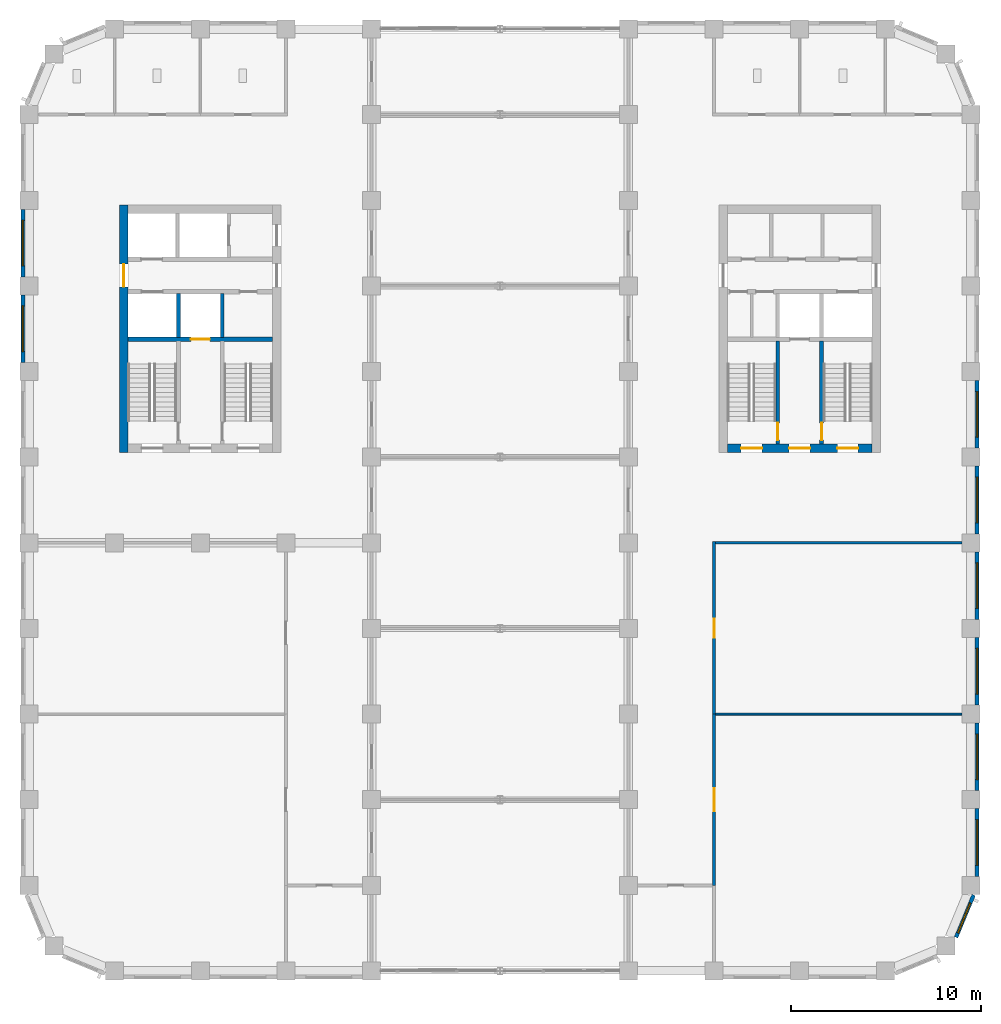
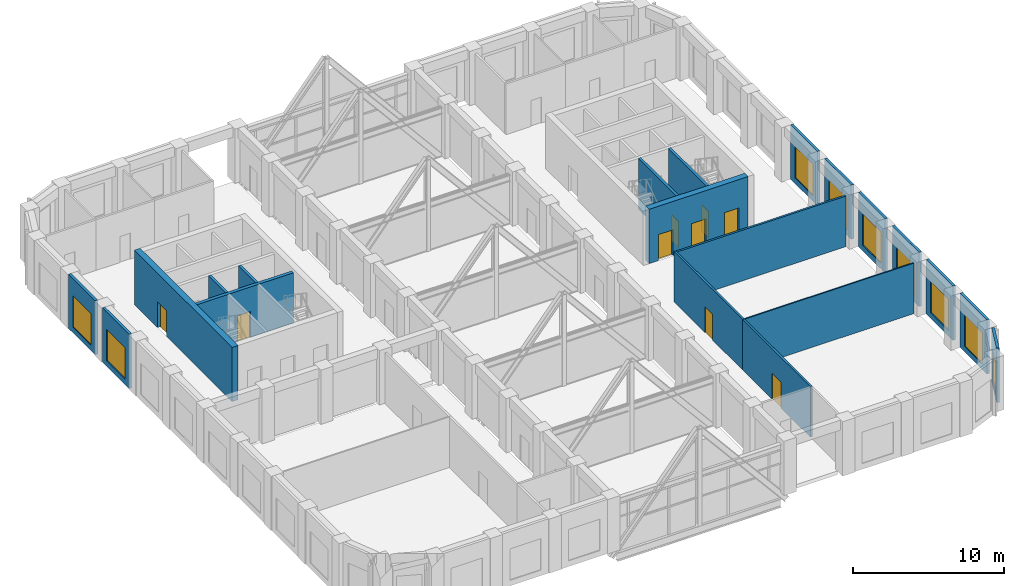
# One storey, part 9 of 15: 20 walls, 9 doors, 9 windows, 18 openings.
"""IFC4 building model written with IfcOpenShell, lengths in metres."""

from ifc_helpers import new_model, si_unit, direction, frame, frame_2d, origin, place, context, subcontext, project, spatial, rectangle, extrude, material, layer, layer_set, type_object, element, fill, save


model = new_model("IFC4")

# Units and contexts
model_context = context("Model", 3, precision=1e-05, world=origin(), true_north=direction((0.0, 1.0)))
body_context = subcontext(model_context, "Body", "Model", "MODEL_VIEW")
ifc_project = project(units=[si_unit("LENGTHUNIT", "METRE"), si_unit("AREAUNIT", "SQUARE_METRE"), si_unit("VOLUMEUNIT", "CUBIC_METRE"), si_unit("PLANEANGLEUNIT", "RADIAN"), si_unit("MASSUNIT", "GRAM", prefix="KILO")], contexts=[model_context])

# Site, building, storey
site_placement = place(None, origin())
site = spatial("IfcSite", under=ifc_project, at=site_placement, CompositionType="ELEMENT")
building_placement = place(site_placement, origin())
building = spatial("IfcBuilding", under=site, at=building_placement, Name="Girih Gate Residences", CompositionType="ELEMENT")
storey_placement = place(building_placement, frame((0.0, 0.0, 168.199951171875)))
storey = spatial("IfcBuildingStorey", under=building, at=storey_placement, Name="L46", CompositionType="ELEMENT", Elevation=168.199951171875)

# Wall
ifc_material_1 = material(Name="Gypsum board on steel studs", Category="steel")
ifc_layer_1 = layer(ifc_material_1, 0.14990234375)
ifc_layer_set_1 = layer_set([ifc_layer_1], Name="Compartment wall 150 mm")
wall_type_1 = type_object("IfcWallType", Name="Compartment wall 150 mm", PredefinedType="PARTITIONING", material=ifc_layer_set_1)
wall_1_placement = place(storey_placement, frame((36.074951171875, 22.5, 0.0), z_axis=(0.0, 0.0, 1.0), x_axis=(1.0, 0.0, 0.0)))
element("IfcWall", 1, at=wall_1_placement, inside=storey, type_object=wall_type_1, Name="L46 partition", PredefinedType="PARTITIONING", context=body_context, shape_type="SweptSolid", body=[
    extrude(rectangle(XDim=12.949951171875, YDim=0.14990234375, at=frame_2d((6.47509765625, 0.0))), origin(), (0.0, 0.0, 1.0), 4.10009765625),
])

# Wall, opening, door
wall_2_placement = place(storey_placement, frame((36.0, 13.5, 0.0), z_axis=(0.0, 0.0, 1.0), x_axis=(0.0, -1.0, 0.0)))
wall_2 = element("IfcWall", 2, at=wall_2_placement, inside=storey, type_object=wall_type_1, Name="L46 partition", PredefinedType="PARTITIONING", context=body_context, shape_type="SweptSolid", body=[
    extrude(rectangle(XDim=9.0, YDim=0.14990234375, at=frame_2d((4.5, 0.0))), origin(), (0.0, 0.0, 1.0), 4.10009765625),
])
opening_1_placement = place(wall_2_placement, frame((3.89990234375, 0.0, 0.0)))
opening_1 = element("IfcOpeningElement", 3, at=opening_1_placement, cuts=wall_2, Name="Opening D-L46-S-014", PredefinedType="OPENING", context=body_context, shape_type="SweptSolid", body=[
    extrude(rectangle(XDim=1.199951171875, YDim=2.10009765625, at=frame_2d((0.60009765625, 1.050048828125))), frame((0.0, 0.0849609375, 0.0), z_axis=(0.0, -1.0, 0.0), x_axis=(1.0, 0.0, 0.0)), (0.0, 0.0, 1.0), 0.169921875),
])
ifc_material_2 = material(Name="Timber, fire-rated core", Category="wood")
door_type_1 = type_object("IfcDoorType", Name="Gallery fire door 1200x2100 FD30S", OperationType="SINGLE_SWING_LEFT", PredefinedType="DOOR", material=ifc_material_2)
door_1_placement = place(opening_1_placement, origin())
door_1 = element("IfcDoor", 4, at=door_1_placement, inside=storey, type_object=door_type_1, Name="Door L46-014", OperationType="SINGLE_SWING_RIGHT", OverallHeight=2.10009765625, OverallWidth=1.199951171875, PredefinedType="DOOR", context=body_context, shape_type="SweptSolid", body=[
    extrude(rectangle(XDim=1.199951171875, YDim=2.10009765625, at=frame_2d((0.60009765625, 1.050048828125))), frame((0.0, 0.02490234375, 0.0), z_axis=(0.0, -1.0, 0.0), x_axis=(1.0, 0.0, 0.0)), (0.0, 0.0, 1.0), 0.050048828125),
])
fill(opening_1, door_1)

wall_3_placement = place(storey_placement, frame((36.0, 22.574951171875, 0.0), z_axis=(0.0, 0.0, 1.0), x_axis=(0.0, -1.0, 0.0)))
wall_3 = element("IfcWall", 5, at=wall_3_placement, inside=storey, type_object=wall_type_1, Name="L46 partition", PredefinedType="PARTITIONING", context=body_context, shape_type="SweptSolid", body=[
    extrude(rectangle(XDim=9.074951171875, YDim=0.14990234375, at=frame_2d((4.53759765625, 0.0))), origin(), (0.0, 0.0, 1.0), 4.10009765625),
])
opening_2_placement = place(wall_3_placement, frame((4.074951171875, 0.0, 0.0)))
opening_2 = element("IfcOpeningElement", 6, at=opening_2_placement, cuts=wall_3, Name="Opening D-L46-S-015", PredefinedType="OPENING", context=body_context, shape_type="SweptSolid", body=[
    extrude(rectangle(XDim=1.0, YDim=2.10009765625, at=frame_2d((0.5, 1.050048828125))), frame((0.0, 0.0849609375, 0.0), z_axis=(0.0, -1.0, 0.0), x_axis=(1.0, 0.0, 0.0)), (0.0, 0.0, 1.0), 0.169921875),
])
door_type_2 = type_object("IfcDoorType", Name="Amenity door 1000x2100 FD30S", OperationType="SINGLE_SWING_LEFT", PredefinedType="DOOR", material=ifc_material_2)
door_2_placement = place(opening_2_placement, origin())
door_2 = element("IfcDoor", 7, at=door_2_placement, inside=storey, type_object=door_type_2, Name="Door L46-015", OperationType="SINGLE_SWING_RIGHT", OverallHeight=2.10009765625, OverallWidth=1.0, PredefinedType="DOOR", context=body_context, shape_type="SweptSolid", body=[
    extrude(rectangle(XDim=1.0, YDim=2.10009765625, at=frame_2d((0.5, 1.050048828125))), frame((0.0, 0.02490234375, 0.0), z_axis=(0.0, -1.0, 0.0), x_axis=(1.0, 0.0, 0.0)), (0.0, 0.0, 1.0), 0.050048828125),
])
fill(opening_2, door_2)

ifc_material_3 = material(Name="Concrete C60/75", Category="concrete")
ifc_layer_2 = layer(ifc_material_3, 0.449951171875)
ifc_layer_set_2 = layer_set([ifc_layer_2], Name="Core wall RC 450 Concrete C60/75")
wall_type_2 = type_object("IfcWallType", Name="Core wall RC 450 Concrete C60/75", PredefinedType="SOLIDWALL", material=ifc_layer_set_2)
wall_4_placement = place(storey_placement, frame((4.97509765625, 27.25, 0.0), z_axis=(0.0, 0.0, 1.0), x_axis=(0.0, 1.0, 0.0)))
wall_4 = element("IfcWall", 8, at=wall_4_placement, inside=storey, type_object=wall_type_2, Name="Core wall W-W L46", PredefinedType="SOLIDWALL", context=body_context, shape_type="SweptSolid", body=[
    extrude(rectangle(XDim=13.0, YDim=0.449951171875, at=frame_2d((6.5, 0.0))), origin(), (0.0, 0.0, 1.0), 4.400146484375),
])
opening_3_placement = place(wall_4_placement, frame((8.699951171875, 0.0, 0.0)))
opening_3 = element("IfcOpeningElement", 9, at=opening_3_placement, cuts=wall_4, Name="Opening D-L46-W-012", PredefinedType="OPENING", context=body_context, shape_type="SweptSolid", body=[
    extrude(rectangle(XDim=1.199951171875, YDim=2.10009765625, at=frame_2d((0.60009765625, 1.050048828125))), frame((0.0, 0.23486328125, 0.0), z_axis=(0.0, -1.0, 0.0), x_axis=(1.0, 0.0, 0.0)), (0.0, 0.0, 1.0), 0.469970703125),
])
ifc_material_4 = material(Name="Painted steel, fire-resisting", Category="steel")
door_type_3 = type_object("IfcDoorType", Name="Fire door 1200x2100", OperationType="SINGLE_SWING_LEFT", PredefinedType="DOOR", material=ifc_material_4)
door_3_placement = place(opening_3_placement, origin())
door_3 = element("IfcDoor", 10, at=door_3_placement, inside=storey, type_object=door_type_3, Name="L46 W core door ll-w", OperationType="SINGLE_SWING_LEFT", OverallHeight=2.10009765625, OverallWidth=1.199951171875, PredefinedType="DOOR", context=body_context, shape_type="SweptSolid", body=[
    extrude(rectangle(XDim=1.199951171875, YDim=2.10009765625, at=frame_2d((0.60009765625, 1.050048828125))), frame((0.0, 0.02490234375, 0.0), z_axis=(0.0, -1.0, 0.0), x_axis=(1.0, 0.0, 0.0)), (0.0, 0.0, 1.0), 0.050048828125),
])
fill(opening_3, door_3)

# Wall, openings, doors
wall_5_placement = place(storey_placement, frame((36.699951171875, 27.47509765625, 0.0), z_axis=(0.0, 0.0, 1.0), x_axis=(1.0, 0.0, 0.0)))
wall_5 = element("IfcWall", 11, at=wall_5_placement, inside=storey, type_object=wall_type_2, Name="Core wall E-S L46", PredefinedType="SOLIDWALL", context=body_context, shape_type="SweptSolid", body=[
    extrude(rectangle(XDim=7.60009765625, YDim=0.449951171875, at=frame_2d((3.800048828125, 0.0))), origin(), (0.0, 0.0, 1.0), 4.400146484375),
])
opening_4_placement = place(wall_5_placement, frame((5.77490234375, 0.0, 0.0)))
opening_4 = element("IfcOpeningElement", 12, at=opening_4_placement, cuts=wall_5, Name="Opening D-L46-E-010", PredefinedType="OPENING", context=body_context, shape_type="SweptSolid", body=[
    extrude(rectangle(XDim=1.10009765625, YDim=2.10009765625, at=frame_2d((0.550048828125, 1.050048828125))), frame((0.0, 0.23486328125, 0.0), z_axis=(0.0, -1.0, 0.0), x_axis=(1.0, 0.0, 0.0)), (0.0, 0.0, 1.0), 0.469970703125),
])
opening_5_placement = place(wall_5_placement, frame((3.25, 0.0, 0.0)))
opening_5 = element("IfcOpeningElement", 13, at=opening_5_placement, cuts=wall_5, Name="Opening D-L46-E-011", PredefinedType="OPENING", context=body_context, shape_type="SweptSolid", body=[
    extrude(rectangle(XDim=1.10009765625, YDim=2.10009765625, at=frame_2d((0.550048828125, 1.050048828125))), frame((0.0, 0.23486328125, 0.0), z_axis=(0.0, -1.0, 0.0), x_axis=(1.0, 0.0, 0.0)), (0.0, 0.0, 1.0), 0.469970703125),
])
opening_6_placement = place(wall_5_placement, frame((0.72509765625, 0.0, 0.0)))
opening_6 = element("IfcOpeningElement", 14, at=opening_6_placement, cuts=wall_5, Name="Opening D-L46-E-012", PredefinedType="OPENING", context=body_context, shape_type="SweptSolid", body=[
    extrude(rectangle(XDim=1.10009765625, YDim=2.10009765625, at=frame_2d((0.550048828125, 1.050048828125))), frame((0.0, 0.23486328125, 0.0), z_axis=(0.0, -1.0, 0.0), x_axis=(1.0, 0.0, 0.0)), (0.0, 0.0, 1.0), 0.469970703125),
])
door_type_4 = type_object("IfcDoorType", Name="Fire door 1100x2100", OperationType="SINGLE_SWING_LEFT", PredefinedType="DOOR", material=ifc_material_4)
door_4_placement = place(opening_4_placement, origin())
door_4 = element("IfcDoor", 15, at=door_4_placement, inside=storey, type_object=door_type_4, Name="L46 E core door sta-out", OperationType="SINGLE_SWING_LEFT", OverallHeight=2.10009765625, OverallWidth=1.10009765625, PredefinedType="DOOR", context=body_context, shape_type="SweptSolid", body=[
    extrude(rectangle(XDim=1.10009765625, YDim=2.10009765625, at=frame_2d((0.550048828125, 1.050048828125))), frame((0.0, 0.02490234375, 0.0), z_axis=(0.0, -1.0, 0.0), x_axis=(1.0, 0.0, 0.0)), (0.0, 0.0, 1.0), 0.050048828125),
])
fill(opening_4, door_4)
door_5_placement = place(opening_5_placement, origin())
door_5 = element("IfcDoor", 16, at=door_5_placement, inside=storey, type_object=door_type_4, Name="L46 E core door ffl-out", OperationType="SINGLE_SWING_LEFT", OverallHeight=2.10009765625, OverallWidth=1.10009765625, PredefinedType="DOOR", context=body_context, shape_type="SweptSolid", body=[
    extrude(rectangle(XDim=1.10009765625, YDim=2.10009765625, at=frame_2d((0.550048828125, 1.050048828125))), frame((0.0, 0.02490234375, 0.0), z_axis=(0.0, -1.0, 0.0), x_axis=(1.0, 0.0, 0.0)), (0.0, 0.0, 1.0), 0.050048828125),
])
fill(opening_5, door_5)
door_6_placement = place(opening_6_placement, origin())
door_6 = element("IfcDoor", 17, at=door_6_placement, inside=storey, type_object=door_type_4, Name="L46 E core door stb-out", OperationType="SINGLE_SWING_LEFT", OverallHeight=2.10009765625, OverallWidth=1.10009765625, PredefinedType="DOOR", context=body_context, shape_type="SweptSolid", body=[
    extrude(rectangle(XDim=1.10009765625, YDim=2.10009765625, at=frame_2d((0.550048828125, 1.050048828125))), frame((0.0, 0.02490234375, 0.0), z_axis=(0.0, -1.0, 0.0), x_axis=(1.0, 0.0, 0.0)), (0.0, 0.0, 1.0), 0.050048828125),
])
fill(opening_6, door_6)

# Wall, opening, door
ifc_material_5 = material(Name="Concrete C40/50", Category="concrete")
ifc_layer_3 = layer(ifc_material_5, 0.25)
ifc_layer_set_3 = layer_set([ifc_layer_3], Name="Lift shaft wall 250")
wall_type_3 = type_object("IfcWallType", Name="Lift shaft wall 250", PredefinedType="SOLIDWALL", material=ifc_layer_set_3)
wall_6_placement = place(storey_placement, frame((5.199951171875, 33.199951171875, 0.0), z_axis=(0.0, 0.0, 1.0), x_axis=(1.0, 0.0, 0.0)))
wall_6 = element("IfcWall", 18, at=wall_6_placement, inside=storey, type_object=wall_type_3, Name="L46 W core wall H1", PredefinedType="SOLIDWALL", context=body_context, shape_type="SweptSolid", body=[
    extrude(rectangle(XDim=7.60009765625, YDim=0.25, at=frame_2d((3.800048828125, 0.0))), origin(), (0.0, 0.0, 1.0), 4.10009765625),
])
opening_7_placement = place(wall_6_placement, frame((3.300048828125, 0.0, 0.0)))
opening_7 = element("IfcOpeningElement", 19, at=opening_7_placement, cuts=wall_6, Name="Opening D-L46-W-006", PredefinedType="OPENING", context=body_context, shape_type="SweptSolid", body=[
    extrude(rectangle(XDim=1.0, YDim=2.10009765625, at=frame_2d((0.5, 1.050048828125))), frame((0.0, 0.135009765625, 0.0), z_axis=(0.0, -1.0, 0.0), x_axis=(1.0, 0.0, 0.0)), (0.0, 0.0, 1.0), 0.27001953125),
])
ifc_material_6 = material(Name="Stainless steel, fire-resisting", Category="steel")
door_type_5 = type_object("IfcDoorType", Name="Firefighting lift landing door 1000x2100", OperationType="SLIDING_TO_LEFT", PredefinedType="DOOR", material=ifc_material_6)
door_7_placement = place(opening_7_placement, origin())
door_7 = element("IfcDoor", 20, at=door_7_placement, inside=storey, type_object=door_type_5, Name="L46 lift FF-W landing door", OperationType="SLIDING_TO_LEFT", OverallHeight=2.10009765625, OverallWidth=1.0, PredefinedType="DOOR", context=body_context, shape_type="SweptSolid", body=[
    extrude(rectangle(XDim=1.0, YDim=2.10009765625, at=frame_2d((0.5, 1.050048828125))), frame((0.0, 0.02490234375, 0.0), z_axis=(0.0, -1.0, 0.0), x_axis=(1.0, 0.0, 0.0)), (0.0, 0.0, 1.0), 0.050048828125),
])
fill(opening_7, door_7)

# Wall
ifc_layer_4 = layer(ifc_material_1, 0.10009765625)
ifc_layer_set_4 = layer_set([ifc_layer_4], Name="Partition 100 mm")
wall_type_4 = type_object("IfcWallType", Name="Partition 100 mm", PredefinedType="PARTITIONING", material=ifc_layer_set_4)
wall_7_placement = place(storey_placement, frame((36.074951171875, 13.5, 0.0), z_axis=(0.0, 0.0, 1.0), x_axis=(1.0, 0.0, 0.0)))
element("IfcWall", 21, at=wall_7_placement, inside=storey, type_object=wall_type_4, Name="L46 partition", PredefinedType="PARTITIONING", context=body_context, shape_type="SweptSolid", body=[
    extrude(rectangle(XDim=12.949951171875, YDim=0.10009765625, at=frame_2d((6.47509765625, 0.0))), origin(), (0.0, 0.0, 1.0), 4.10009765625),
])

# Wall, opening, window
ifc_material_7 = material(Name="Precast concrete C50/60", Category="concrete")
ifc_layer_5 = layer(ifc_material_7, 0.06005859375, Name="Outer leaf")
ifc_material_8 = material(Name="Rigid PIR insulation")
ifc_layer_6 = layer(ifc_material_8, 0.090087890625, Name="Insulation")
ifc_material_9 = material(Name="Precast concrete C40/50", Category="concrete")
ifc_layer_7 = layer(ifc_material_9, 0.050048828125, Name="Inner leaf")
ifc_layer_set_5 = layer_set([ifc_layer_5, ifc_layer_6, ifc_layer_7], Name="Precast concrete C50/60 external wall 200")
wall_type_5 = type_object("IfcWallType", Name="Precast concrete C50/60 external wall 200", PredefinedType="SOLIDWALL", material=ifc_layer_set_5)
wall_8_placement = place(storey_placement, frame((49.63916015625, 3.98681640625, 0.0), z_axis=(0.0, 0.0, 1.0), x_axis=(-0.382680855588, -0.923880599843, 0.0)))
wall_8 = element("IfcWall", 22, at=wall_8_placement, inside=storey, type_object=wall_type_5, Name="External wall SE0482_0013.0", PredefinedType="SOLIDWALL", context=body_context, shape_type="SweptSolid", body=[
    extrude(rectangle(XDim=2.402587890625, YDim=0.199951171875, at=frame_2d((1.201171875, 0.0))), origin(), (0.0, 0.0, 1.0), 4.400146484375),
])
opening_8_placement = place(wall_8_placement, frame((0.451171875, 0.0, 0.449951171875)))
opening_8 = element("IfcOpeningElement", 23, at=opening_8_placement, cuts=wall_8, Name="Opening W-2F", PredefinedType="OPENING", context=body_context, shape_type="SweptSolid", body=[
    extrude(rectangle(XDim=1.699951171875, YDim=2.550048828125, at=frame_2d((0.85009765625, 1.27490234375))), frame((0.0, 0.10986328125, 0.0), z_axis=(0.0, -1.0, 0.0), x_axis=(1.0, 0.0, 0.0)), (0.0, 0.0, 1.0), 0.219970703125),
])
ifc_material_10 = material(Name="Double glazing in aluminium frame", Category="aluminium")
window_type_1 = type_object("IfcWindowType", Name="Window W-2F 1700x2550", PartitioningType="SINGLE_PANEL", PredefinedType="WINDOW", material=ifc_material_10)
window_1_placement = place(opening_8_placement, origin())
window_1 = element("IfcWindow", 24, at=window_1_placement, inside=storey, type_object=window_type_1, Name="Window W-2F SE0482_0013.0", OverallHeight=2.550048828125, OverallWidth=1.699951171875, PartitioningType="SINGLE_PANEL", PredefinedType="WINDOW", context=body_context, shape_type="SweptSolid", body=[
    extrude(rectangle(XDim=1.699951171875, YDim=2.550048828125, at=frame_2d((0.85009765625, 1.27490234375))), frame((0.0, 0.030029296875, 0.0), z_axis=(0.0, -1.0, 0.0), x_axis=(1.0, 0.0, 0.0)), (0.0, 0.0, 1.0), 0.06005859375),
])
fill(opening_8, window_1)

wall_9_placement = place(storey_placement, frame((49.824951171875, 8.52490234375, 0.0), z_axis=(0.0, 0.0, 1.0), x_axis=(0.0, -1.0, 0.0)))
wall_9 = element("IfcWall", 25, at=wall_9_placement, inside=storey, type_object=wall_type_5, Name="External wall E0495_0045.0", PredefinedType="SOLIDWALL", context=body_context, shape_type="SweptSolid", body=[
    extrude(rectangle(XDim=3.5498046875, YDim=0.199951171875, at=frame_2d((1.77490234375, 0.0))), origin(), (0.0, 0.0, 1.0), 4.400146484375),
])
opening_9_placement = place(wall_9_placement, frame((0.574951171875, 0.0, 0.449951171875)))
opening_9 = element("IfcOpeningElement", 26, at=opening_9_placement, cuts=wall_9, Name="Opening W-6B", PredefinedType="OPENING", context=body_context, shape_type="SweptSolid", body=[
    extrude(rectangle(XDim=2.39990234375, YDim=2.550048828125, at=frame_2d((1.199951171875, 1.27490234375))), frame((0.0, 0.10986328125, 0.0), z_axis=(0.0, -1.0, 0.0), x_axis=(1.0, 0.0, 0.0)), (0.0, 0.0, 1.0), 0.219970703125),
])
window_type_2 = type_object("IfcWindowType", Name="Window W-6B 2400x2550", PartitioningType="SINGLE_PANEL", PredefinedType="WINDOW", material=ifc_material_10)
window_2_placement = place(opening_9_placement, origin())
window_2 = element("IfcWindow", 27, at=window_2_placement, inside=storey, type_object=window_type_2, Name="Window W-6B E0495_0045.0", OverallHeight=2.550048828125, OverallWidth=2.39990234375, PartitioningType="SINGLE_PANEL", PredefinedType="WINDOW", context=body_context, shape_type="SweptSolid", body=[
    extrude(rectangle(XDim=2.39990234375, YDim=2.550048828125, at=frame_2d((1.199951171875, 1.27490234375))), frame((0.0, 0.030029296875, 0.0), z_axis=(0.0, -1.0, 0.0), x_axis=(1.0, 0.0, 0.0)), (0.0, 0.0, 1.0), 0.06005859375),
])
fill(opening_9, window_2)

wall_10_placement = place(storey_placement, frame((49.824951171875, 13.02490234375, 0.0), z_axis=(0.0, 0.0, 1.0), x_axis=(0.0, -1.0, 0.0)))
wall_10 = element("IfcWall", 28, at=wall_10_placement, inside=storey, type_object=wall_type_5, Name="External wall E0495_0045.1", PredefinedType="SOLIDWALL", context=body_context, shape_type="SweptSolid", body=[
    extrude(rectangle(XDim=3.5498046875, YDim=0.199951171875, at=frame_2d((1.77490234375, 0.0))), origin(), (0.0, 0.0, 1.0), 4.400146484375),
])
opening_10_placement = place(wall_10_placement, frame((0.574951171875, 0.0, 0.449951171875)))
opening_10 = element("IfcOpeningElement", 29, at=opening_10_placement, cuts=wall_10, Name="Opening W-6B", PredefinedType="OPENING", context=body_context, shape_type="SweptSolid", body=[
    extrude(rectangle(XDim=2.39990234375, YDim=2.550048828125, at=frame_2d((1.199951171875, 1.27490234375))), frame((0.0, 0.10986328125, 0.0), z_axis=(0.0, -1.0, 0.0), x_axis=(1.0, 0.0, 0.0)), (0.0, 0.0, 1.0), 0.219970703125),
])
window_3_placement = place(opening_10_placement, origin())
window_3 = element("IfcWindow", 30, at=window_3_placement, inside=storey, type_object=window_type_2, Name="Window W-6B E0495_0045.1", OverallHeight=2.550048828125, OverallWidth=2.39990234375, PartitioningType="SINGLE_PANEL", PredefinedType="WINDOW", context=body_context, shape_type="SweptSolid", body=[
    extrude(rectangle(XDim=2.39990234375, YDim=2.550048828125, at=frame_2d((1.199951171875, 1.27490234375))), frame((0.0, 0.030029296875, 0.0), z_axis=(0.0, -1.0, 0.0), x_axis=(1.0, 0.0, 0.0)), (0.0, 0.0, 1.0), 0.06005859375),
])
fill(opening_10, window_3)

wall_11_placement = place(storey_placement, frame((49.824951171875, 17.52490234375, 0.0), z_axis=(0.0, 0.0, 1.0), x_axis=(0.0, -1.0, 0.0)))
wall_11 = element("IfcWall", 31, at=wall_11_placement, inside=storey, type_object=wall_type_5, Name="External wall E0495_0045.2", PredefinedType="SOLIDWALL", context=body_context, shape_type="SweptSolid", body=[
    extrude(rectangle(XDim=3.5498046875, YDim=0.199951171875, at=frame_2d((1.77490234375, 0.0))), origin(), (0.0, 0.0, 1.0), 4.400146484375),
])
opening_11_placement = place(wall_11_placement, frame((0.574951171875, 0.0, 0.449951171875)))
opening_11 = element("IfcOpeningElement", 32, at=opening_11_placement, cuts=wall_11, Name="Opening W-6B", PredefinedType="OPENING", context=body_context, shape_type="SweptSolid", body=[
    extrude(rectangle(XDim=2.39990234375, YDim=2.550048828125, at=frame_2d((1.199951171875, 1.27490234375))), frame((0.0, 0.10986328125, 0.0), z_axis=(0.0, -1.0, 0.0), x_axis=(1.0, 0.0, 0.0)), (0.0, 0.0, 1.0), 0.219970703125),
])
window_4_placement = place(opening_11_placement, origin())
window_4 = element("IfcWindow", 33, at=window_4_placement, inside=storey, type_object=window_type_2, Name="Window W-6B E0495_0045.2", OverallHeight=2.550048828125, OverallWidth=2.39990234375, PartitioningType="SINGLE_PANEL", PredefinedType="WINDOW", context=body_context, shape_type="SweptSolid", body=[
    extrude(rectangle(XDim=2.39990234375, YDim=2.550048828125, at=frame_2d((1.199951171875, 1.27490234375))), frame((0.0, 0.030029296875, 0.0), z_axis=(0.0, -1.0, 0.0), x_axis=(1.0, 0.0, 0.0)), (0.0, 0.0, 1.0), 0.06005859375),
])
fill(opening_11, window_4)

wall_12_placement = place(storey_placement, frame((49.824951171875, 22.02490234375, 0.0), z_axis=(0.0, 0.0, 1.0), x_axis=(0.0, -1.0, 0.0)))
wall_12 = element("IfcWall", 34, at=wall_12_placement, inside=storey, type_object=wall_type_5, Name="External wall E0495_0045.3", PredefinedType="SOLIDWALL", context=body_context, shape_type="SweptSolid", body=[
    extrude(rectangle(XDim=3.5498046875, YDim=0.199951171875, at=frame_2d((1.77490234375, 0.0))), origin(), (0.0, 0.0, 1.0), 4.400146484375),
])
opening_12_placement = place(wall_12_placement, frame((0.574951171875, 0.0, 0.449951171875)))
opening_12 = element("IfcOpeningElement", 35, at=opening_12_placement, cuts=wall_12, Name="Opening W-6B", PredefinedType="OPENING", context=body_context, shape_type="SweptSolid", body=[
    extrude(rectangle(XDim=2.39990234375, YDim=2.550048828125, at=frame_2d((1.199951171875, 1.27490234375))), frame((0.0, 0.10986328125, 0.0), z_axis=(0.0, -1.0, 0.0), x_axis=(1.0, 0.0, 0.0)), (0.0, 0.0, 1.0), 0.219970703125),
])
window_5_placement = place(opening_12_placement, origin())
window_5 = element("IfcWindow", 36, at=window_5_placement, inside=storey, type_object=window_type_2, Name="Window W-6B E0495_0045.3", OverallHeight=2.550048828125, OverallWidth=2.39990234375, PartitioningType="SINGLE_PANEL", PredefinedType="WINDOW", context=body_context, shape_type="SweptSolid", body=[
    extrude(rectangle(XDim=2.39990234375, YDim=2.550048828125, at=frame_2d((1.199951171875, 1.27490234375))), frame((0.0, 0.030029296875, 0.0), z_axis=(0.0, -1.0, 0.0), x_axis=(1.0, 0.0, 0.0)), (0.0, 0.0, 1.0), 0.06005859375),
])
fill(opening_12, window_5)

wall_13_placement = place(storey_placement, frame((49.824951171875, 26.52490234375, 0.0), z_axis=(0.0, 0.0, 1.0), x_axis=(0.0, -1.0, 0.0)))
wall_13 = element("IfcWall", 37, at=wall_13_placement, inside=storey, type_object=wall_type_5, Name="External wall E0495_0045.4", PredefinedType="SOLIDWALL", context=body_context, shape_type="SweptSolid", body=[
    extrude(rectangle(XDim=3.5498046875, YDim=0.199951171875, at=frame_2d((1.77490234375, 0.0))), origin(), (0.0, 0.0, 1.0), 4.400146484375),
])
opening_13_placement = place(wall_13_placement, frame((0.574951171875, 0.0, 0.449951171875)))
opening_13 = element("IfcOpeningElement", 38, at=opening_13_placement, cuts=wall_13, Name="Opening W-6B", PredefinedType="OPENING", context=body_context, shape_type="SweptSolid", body=[
    extrude(rectangle(XDim=2.39990234375, YDim=2.550048828125, at=frame_2d((1.199951171875, 1.27490234375))), frame((0.0, 0.10986328125, 0.0), z_axis=(0.0, -1.0, 0.0), x_axis=(1.0, 0.0, 0.0)), (0.0, 0.0, 1.0), 0.219970703125),
])
window_6_placement = place(opening_13_placement, origin())
window_6 = element("IfcWindow", 39, at=window_6_placement, inside=storey, type_object=window_type_2, Name="Window W-6B E0495_0045.4", OverallHeight=2.550048828125, OverallWidth=2.39990234375, PartitioningType="SINGLE_PANEL", PredefinedType="WINDOW", context=body_context, shape_type="SweptSolid", body=[
    extrude(rectangle(XDim=2.39990234375, YDim=2.550048828125, at=frame_2d((1.199951171875, 1.27490234375))), frame((0.0, 0.030029296875, 0.0), z_axis=(0.0, -1.0, 0.0), x_axis=(1.0, 0.0, 0.0)), (0.0, 0.0, 1.0), 0.06005859375),
])
fill(opening_13, window_6)

wall_14_placement = place(storey_placement, frame((49.824951171875, 31.02490234375, 0.0), z_axis=(0.0, 0.0, 1.0), x_axis=(0.0, -1.0, 0.0)))
wall_14 = element("IfcWall", 40, at=wall_14_placement, inside=storey, type_object=wall_type_5, Name="External wall E0495_0045.5", PredefinedType="SOLIDWALL", context=body_context, shape_type="SweptSolid", body=[
    extrude(rectangle(XDim=3.5498046875, YDim=0.199951171875, at=frame_2d((1.77490234375, 0.0))), origin(), (0.0, 0.0, 1.0), 4.400146484375),
])
opening_14_placement = place(wall_14_placement, frame((0.574951171875, 0.0, 0.449951171875)))
opening_14 = element("IfcOpeningElement", 41, at=opening_14_placement, cuts=wall_14, Name="Opening W-6B", PredefinedType="OPENING", context=body_context, shape_type="SweptSolid", body=[
    extrude(rectangle(XDim=2.39990234375, YDim=2.550048828125, at=frame_2d((1.199951171875, 1.27490234375))), frame((0.0, 0.10986328125, 0.0), z_axis=(0.0, -1.0, 0.0), x_axis=(1.0, 0.0, 0.0)), (0.0, 0.0, 1.0), 0.219970703125),
])
window_7_placement = place(opening_14_placement, origin())
window_7 = element("IfcWindow", 42, at=window_7_placement, inside=storey, type_object=window_type_2, Name="Window W-6B E0495_0045.5", OverallHeight=2.550048828125, OverallWidth=2.39990234375, PartitioningType="SINGLE_PANEL", PredefinedType="WINDOW", context=body_context, shape_type="SweptSolid", body=[
    extrude(rectangle(XDim=2.39990234375, YDim=2.550048828125, at=frame_2d((1.199951171875, 1.27490234375))), frame((0.0, 0.030029296875, 0.0), z_axis=(0.0, -1.0, 0.0), x_axis=(1.0, 0.0, 0.0)), (0.0, 0.0, 1.0), 0.06005859375),
])
fill(opening_14, window_7)

wall_15_placement = place(storey_placement, frame((-0.324951171875, 36.47509765625, 0.0), z_axis=(0.0, 0.0, 1.0), x_axis=(0.0, 1.0, 0.0)))
wall_15 = element("IfcWall", 43, at=wall_15_placement, inside=storey, type_object=wall_type_5, Name="External wall W0000_0450.1", PredefinedType="SOLIDWALL", context=body_context, shape_type="SweptSolid", body=[
    extrude(rectangle(XDim=3.5498046875, YDim=0.199951171875, at=frame_2d((1.77490234375, 0.0))), origin(), (0.0, 0.0, 1.0), 4.400146484375),
])
opening_15_placement = place(wall_15_placement, frame((0.574951171875, 0.0, 0.449951171875)))
opening_15 = element("IfcOpeningElement", 44, at=opening_15_placement, cuts=wall_15, Name="Opening W-6B", PredefinedType="OPENING", context=body_context, shape_type="SweptSolid", body=[
    extrude(rectangle(XDim=2.39990234375, YDim=2.550048828125, at=frame_2d((1.199951171875, 1.27490234375))), frame((0.0, 0.10986328125, 0.0), z_axis=(0.0, -1.0, 0.0), x_axis=(1.0, 0.0, 0.0)), (0.0, 0.0, 1.0), 0.219970703125),
])
window_8_placement = place(opening_15_placement, origin())
window_8 = element("IfcWindow", 45, at=window_8_placement, inside=storey, type_object=window_type_2, Name="Window W-6B W0000_0450.1", OverallHeight=2.550048828125, OverallWidth=2.39990234375, PartitioningType="SINGLE_PANEL", PredefinedType="WINDOW", context=body_context, shape_type="SweptSolid", body=[
    extrude(rectangle(XDim=2.39990234375, YDim=2.550048828125, at=frame_2d((1.199951171875, 1.27490234375))), frame((0.0, 0.030029296875, 0.0), z_axis=(0.0, -1.0, 0.0), x_axis=(1.0, 0.0, 0.0)), (0.0, 0.0, 1.0), 0.06005859375),
])
fill(opening_15, window_8)

wall_16_placement = place(storey_placement, frame((-0.324951171875, 31.97509765625, 0.0), z_axis=(0.0, 0.0, 1.0), x_axis=(0.0, 1.0, 0.0)))
wall_16 = element("IfcWall", 46, at=wall_16_placement, inside=storey, type_object=wall_type_5, Name="External wall W0000_0450.2", PredefinedType="SOLIDWALL", context=body_context, shape_type="SweptSolid", body=[
    extrude(rectangle(XDim=3.5498046875, YDim=0.199951171875, at=frame_2d((1.77490234375, 0.0))), origin(), (0.0, 0.0, 1.0), 4.400146484375),
])
opening_16_placement = place(wall_16_placement, frame((0.574951171875, 0.0, 0.449951171875)))
opening_16 = element("IfcOpeningElement", 47, at=opening_16_placement, cuts=wall_16, Name="Opening W-6B", PredefinedType="OPENING", context=body_context, shape_type="SweptSolid", body=[
    extrude(rectangle(XDim=2.39990234375, YDim=2.550048828125, at=frame_2d((1.199951171875, 1.27490234375))), frame((0.0, 0.10986328125, 0.0), z_axis=(0.0, -1.0, 0.0), x_axis=(1.0, 0.0, 0.0)), (0.0, 0.0, 1.0), 0.219970703125),
])
window_9_placement = place(opening_16_placement, origin())
window_9 = element("IfcWindow", 48, at=window_9_placement, inside=storey, type_object=window_type_2, Name="Window W-6B W0000_0450.2", OverallHeight=2.550048828125, OverallWidth=2.39990234375, PartitioningType="SINGLE_PANEL", PredefinedType="WINDOW", context=body_context, shape_type="SweptSolid", body=[
    extrude(rectangle(XDim=2.39990234375, YDim=2.550048828125, at=frame_2d((1.199951171875, 1.27490234375))), frame((0.0, 0.030029296875, 0.0), z_axis=(0.0, -1.0, 0.0), x_axis=(1.0, 0.0, 0.0)), (0.0, 0.0, 1.0), 0.06005859375),
])
fill(opening_16, window_9)

# Walls
ifc_layer_8 = layer(ifc_material_5, 0.199951171875)
ifc_layer_set_6 = layer_set([ifc_layer_8], Name="Shaft wall 200")
wall_type_6 = type_object("IfcWallType", Name="Shaft wall 200", PredefinedType="SOLIDWALL", material=ifc_layer_set_6)
for number, where, z_axis, x_axis, name in (
    (49, (7.85009765625, 33.300048828125, 0.0), (0.0, 0.0, 1.0), (0.0, 1.0, 0.0), "L46 W core wall V1b"),
    (50, (10.14990234375, 33.300048828125, 0.0), (0.0, 0.0, 1.0), (0.0, 1.0, 0.0), "L46 W core wall V2b"),
):
    element("IfcWall", number, at=place(storey_placement, frame(where, z_axis=z_axis, x_axis=x_axis)), inside=storey, type_object=wall_type_6, Name=name, PredefinedType="SOLIDWALL", context=body_context, shape_type="SweptSolid", body=[
        extrude(rectangle(XDim=2.300048828125, YDim=0.199951171875, at=frame_2d((1.14990234375, 0.0))), origin(), (0.0, 0.0, 1.0), 4.10009765625),
    ])

# Wall, opening, door
wall_17_placement = place(storey_placement, frame((41.64990234375, 27.699951171875, 0.0), z_axis=(0.0, 0.0, 1.0), x_axis=(0.0, 1.0, 0.0)))
wall_17 = element("IfcWall", 51, at=wall_17_placement, inside=storey, type_object=wall_type_6, Name="L46 E core wall V1a", PredefinedType="SOLIDWALL", context=body_context, shape_type="SweptSolid", body=[
    extrude(rectangle(XDim=5.400146484375, YDim=0.199951171875, at=frame_2d((2.7001953125, 0.0))), origin(), (0.0, 0.0, 1.0), 4.10009765625),
])
opening_17_placement = place(wall_17_placement, frame((0.199951171875, 0.0, 0.0)))
opening_17 = element("IfcOpeningElement", 52, at=opening_17_placement, cuts=wall_17, Name="Opening D-L46-E-001", PredefinedType="OPENING", context=body_context, shape_type="SweptSolid", body=[
    extrude(rectangle(XDim=0.89990234375, YDim=2.10009765625, at=frame_2d((0.449951171875, 1.050048828125))), frame((0.0, 0.10986328125, 0.0), z_axis=(0.0, -1.0, 0.0), x_axis=(1.0, 0.0, 0.0)), (0.0, 0.0, 1.0), 0.219970703125),
])
door_type_6 = type_object("IfcDoorType", Name="Fire door 900x2100", OperationType="SINGLE_SWING_LEFT", PredefinedType="DOOR", material=ifc_material_4)
door_8_placement = place(opening_17_placement, origin())
door_8 = element("IfcDoor", 53, at=door_8_placement, inside=storey, type_object=door_type_6, Name="L46 E door stair 1 to firefighting lobby", OperationType="SINGLE_SWING_LEFT", OverallHeight=2.10009765625, OverallWidth=0.89990234375, PredefinedType="DOOR", context=body_context, shape_type="SweptSolid", body=[
    extrude(rectangle(XDim=0.89990234375, YDim=2.10009765625, at=frame_2d((0.449951171875, 1.050048828125))), frame((0.0, 0.02490234375, 0.0), z_axis=(0.0, -1.0, 0.0), x_axis=(1.0, 0.0, 0.0)), (0.0, 0.0, 1.0), 0.050048828125),
])
fill(opening_17, door_8)

wall_18_placement = place(storey_placement, frame((39.35009765625, 27.699951171875, 0.0), z_axis=(0.0, 0.0, 1.0), x_axis=(0.0, 1.0, 0.0)))
wall_18 = element("IfcWall", 54, at=wall_18_placement, inside=storey, type_object=wall_type_6, Name="L46 E core wall V2a", PredefinedType="SOLIDWALL", context=body_context, shape_type="SweptSolid", body=[
    extrude(rectangle(XDim=5.400146484375, YDim=0.199951171875, at=frame_2d((2.7001953125, 0.0))), origin(), (0.0, 0.0, 1.0), 4.10009765625),
])
opening_18_placement = place(wall_18_placement, frame((0.199951171875, 0.0, 0.0)))
opening_18 = element("IfcOpeningElement", 55, at=opening_18_placement, cuts=wall_18, Name="Opening D-L46-E-002", PredefinedType="OPENING", context=body_context, shape_type="SweptSolid", body=[
    extrude(rectangle(XDim=0.89990234375, YDim=2.10009765625, at=frame_2d((0.449951171875, 1.050048828125))), frame((0.0, 0.10986328125, 0.0), z_axis=(0.0, -1.0, 0.0), x_axis=(1.0, 0.0, 0.0)), (0.0, 0.0, 1.0), 0.219970703125),
])
door_9_placement = place(opening_18_placement, origin())
door_9 = element("IfcDoor", 56, at=door_9_placement, inside=storey, type_object=door_type_6, Name="L46 E door stair 2 to firefighting lobby", OperationType="SINGLE_SWING_LEFT", OverallHeight=2.10009765625, OverallWidth=0.89990234375, PredefinedType="DOOR", context=body_context, shape_type="SweptSolid", body=[
    extrude(rectangle(XDim=0.89990234375, YDim=2.10009765625, at=frame_2d((0.449951171875, 1.050048828125))), frame((0.0, 0.02490234375, 0.0), z_axis=(0.0, -1.0, 0.0), x_axis=(1.0, 0.0, 0.0)), (0.0, 0.0, 1.0), 0.050048828125),
])
fill(opening_18, door_9)

save(model, "model.ifc")
